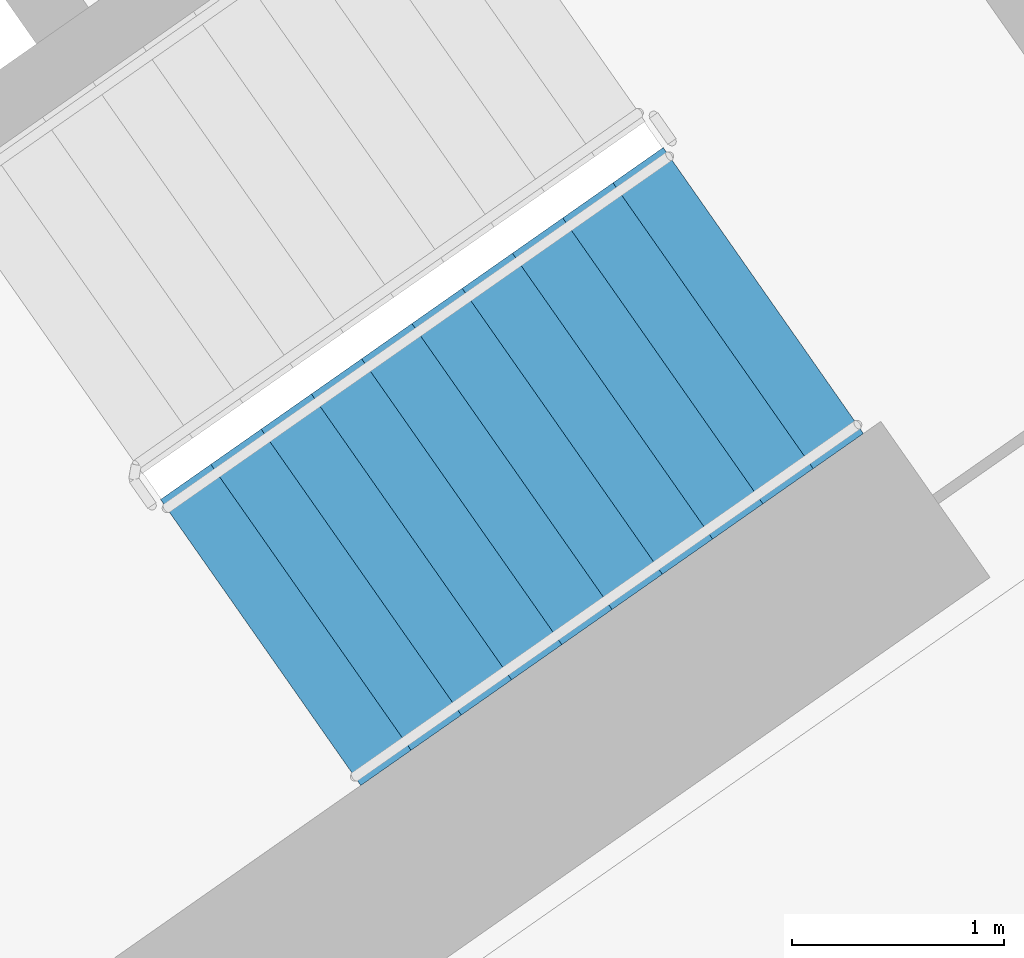
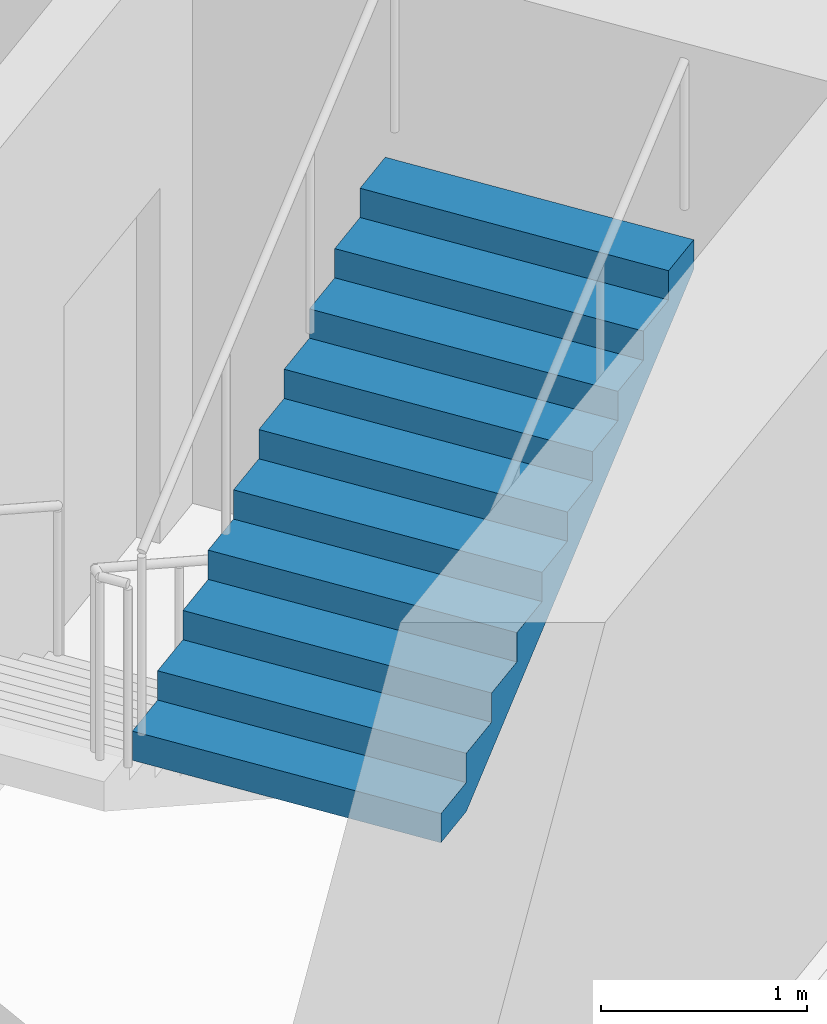
# One storey, part 16 of 33: 1 stair flight, 1 element without a shape of its own.
"""IFC4 building model written with IfcOpenShell, lengths in metres."""

from ifc_helpers import new_model, si_unit, direction, frame, origin, place, context, subcontext, project, spatial, faceted_brep, material, type_object, element, aggregate, save


model = new_model("IFC4")

# Units and contexts
model_context = context("Model", 3, precision=1e-05, world=origin(), true_north=direction((0.0, 1.0)))
body_context = subcontext(model_context, "Body", "Model", "MODEL_VIEW")
ifc_project = project(units=[si_unit("LENGTHUNIT", "METRE"), si_unit("AREAUNIT", "SQUARE_METRE"), si_unit("VOLUMEUNIT", "CUBIC_METRE"), si_unit("PLANEANGLEUNIT", "RADIAN"), si_unit("MASSUNIT", "GRAM", prefix="KILO")], contexts=[model_context])

# Site, building, storey
site_placement = place(None, origin())
site = spatial("IfcSite", under=ifc_project, at=site_placement, CompositionType="ELEMENT")
building_placement = place(site_placement, origin())
building = spatial("IfcBuilding", under=site, at=building_placement, Name="Qamariyya Broadcast Tower", CompositionType="ELEMENT")
storey_placement = place(building_placement, frame((0.0, 0.0, 78.5)))
storey = spatial("IfcBuildingStorey", under=building, at=storey_placement, Name="L16", CompositionType="ELEMENT", Elevation=78.5)

# Stair, stair flight
ifc_material = material(Name="Concrete C50/60", Category="concrete")
stair_type = type_object("IfcStairType", Name="Exit stair 22 risers of 173 mm", PredefinedType="HALF_TURN_STAIR", material=ifc_material)
stair_placement = place(storey_placement, origin())
stair = element("IfcStair", 1, at=stair_placement, inside=storey, type_object=stair_type, Name="L16 Stair E1", PredefinedType="HALF_TURN_STAIR")
stair_flight_type = type_object("IfcStairFlightType", Name="Exit stair flight 11 risers of 173 mm", PredefinedType="STRAIGHT", material=ifc_material)
stair_flight_placement = place(storey_placement, frame((44.693359375, -58.64599609375, 1.89990234375), z_axis=(0.0, 0.0, 1.0), x_axis=(0.819152044289, 0.573576436351, 0.0)))
stair_flight = element("IfcStairFlight", 2, at=stair_flight_placement, type_object=stair_flight_type, Name="ST-E1 flight 2", NumberOfRisers=11, NumberOfTreads=10, PredefinedType="STRAIGHT", RiserHeight=0.172727273, TreadLength=0.29, context=body_context, shape_type="Brep", body=[
    faceted_brep([(0.0, 0.824951171875, 0.0), (0.0, 0.824951171875, 0.172607421875), (0.2900390625, 0.824951171875, 0.172607421875), (0.2900390625, 0.824951171875, 0.345458984375), (0.580078125, 0.824951171875, 0.345458984375), (0.580078125, 0.824951171875, 0.51806640625), (0.8701171875, 0.824951171875, 0.51806640625), (0.8701171875, 0.824951171875, 0.69091796875), (1.159912109375, 0.824951171875, 0.69091796875), (1.159912109375, 0.824951171875, 0.863525390625), (1.449951171875, 0.824951171875, 0.863525390625), (1.449951171875, 0.824951171875, 1.036376953125), (1.739990234375, 0.824951171875, 1.036376953125), (1.739990234375, 0.824951171875, 1.208984375), (2.030029296875, 0.824951171875, 1.208984375), (2.030029296875, 0.824951171875, 1.3818359375), (2.320068359375, 0.824951171875, 1.3818359375), (2.320068359375, 0.824951171875, 1.554443359375), (2.610107421875, 0.824951171875, 1.554443359375), (2.610107421875, 0.824951171875, 1.727294921875), (2.89990234375, 0.824951171875, 1.727294921875), (2.89990234375, 0.824951171875, 1.552734375), (0.29296875, 0.824951171875, 0.0), (0.29296875, -0.824951171875, 0.0), (2.89990234375, -0.824951171875, 1.552734375), (2.89990234375, -0.824951171875, 1.727294921875), (2.610107421875, -0.824951171875, 1.727294921875), (2.610107421875, -0.824951171875, 1.554443359375), (2.320068359375, -0.824951171875, 1.554443359375), (2.320068359375, -0.824951171875, 1.3818359375), (2.030029296875, -0.824951171875, 1.3818359375), (2.030029296875, -0.824951171875, 1.208984375), (1.739990234375, -0.824951171875, 1.208984375), (1.739990234375, -0.824951171875, 1.036376953125), (1.449951171875, -0.824951171875, 1.036376953125), (1.449951171875, -0.824951171875, 0.863525390625), (1.159912109375, -0.824951171875, 0.863525390625), (1.159912109375, -0.824951171875, 0.69091796875), (0.8701171875, -0.824951171875, 0.69091796875), (0.8701171875, -0.824951171875, 0.51806640625), (0.580078125, -0.824951171875, 0.51806640625), (0.580078125, -0.824951171875, 0.345458984375), (0.2900390625, -0.824951171875, 0.345458984375), (0.2900390625, -0.824951171875, 0.172607421875), (0.0, -0.824951171875, 0.172607421875), (0.0, -0.824951171875, 0.0), (0.0, 0.10009765625, 0.0), (0.0, 0.086669921875, 0.0), (0.0, 0.0732421875, 0.0), (0.0, 0.06005859375, 0.0), (0.0, 0.046630859375, 0.0), (0.0, 0.033447265625, 0.0), (0.0, 0.02001953125, 0.0), (0.0, 0.006591796875, 0.0), (0.0, -0.006591796875, 0.0), (0.0, -0.02001953125, 0.0), (0.0, -0.033447265625, 0.0), (0.0, -0.046630859375, 0.0), (0.0, -0.06005859375, 0.0), (0.0, -0.0732421875, 0.0), (0.0, -0.086669921875, 0.0), (0.0, -0.10009765625, 0.0), (0.0, -0.10009765625, 0.172607421875), (0.0, -0.086669921875, 0.172607421875), (0.0, -0.0732421875, 0.172607421875), (0.0, -0.06005859375, 0.172607421875), (0.0, -0.046630859375, 0.172607421875), (0.0, -0.033447265625, 0.172607421875), (0.0, -0.02001953125, 0.172607421875), (0.0, -0.006591796875, 0.172607421875), (0.0, 0.006591796875, 0.172607421875), (0.0, 0.02001953125, 0.172607421875), (0.0, 0.033447265625, 0.172607421875), (0.0, 0.046630859375, 0.172607421875), (0.0, 0.06005859375, 0.172607421875), (0.0, 0.0732421875, 0.172607421875), (0.0, 0.086669921875, 0.172607421875), (0.0, 0.10009765625, 0.172607421875), (0.2900390625, -0.10009765625, 0.172607421875), (0.2900390625, -0.086669921875, 0.172607421875), (0.2900390625, -0.0732421875, 0.172607421875), (0.2900390625, -0.06005859375, 0.172607421875), (0.2900390625, -0.046630859375, 0.172607421875), (0.2900390625, -0.033447265625, 0.172607421875), (0.2900390625, -0.02001953125, 0.172607421875), (0.2900390625, -0.006591796875, 0.172607421875), (0.2900390625, 0.006591796875, 0.172607421875), (0.2900390625, 0.02001953125, 0.172607421875), (0.2900390625, 0.033447265625, 0.172607421875), (0.2900390625, 0.046630859375, 0.172607421875), (0.2900390625, 0.06005859375, 0.172607421875), (0.2900390625, 0.0732421875, 0.172607421875), (0.2900390625, 0.086669921875, 0.172607421875), (0.2900390625, 0.10009765625, 0.172607421875), (0.2900390625, -0.10009765625, 0.345458984375), (0.2900390625, -0.086669921875, 0.345458984375), (0.2900390625, -0.0732421875, 0.345458984375), (0.2900390625, -0.06005859375, 0.345458984375), (0.2900390625, -0.046630859375, 0.345458984375), (0.2900390625, -0.033447265625, 0.345458984375), (0.2900390625, -0.02001953125, 0.345458984375), (0.2900390625, -0.006591796875, 0.345458984375), (0.2900390625, 0.006591796875, 0.345458984375), (0.2900390625, 0.02001953125, 0.345458984375), (0.2900390625, 0.033447265625, 0.345458984375), (0.2900390625, 0.046630859375, 0.345458984375), (0.2900390625, 0.06005859375, 0.345458984375), (0.2900390625, 0.0732421875, 0.345458984375), (0.2900390625, 0.086669921875, 0.345458984375), (0.2900390625, 0.10009765625, 0.345458984375), (0.580078125, -0.10009765625, 0.345458984375), (0.580078125, -0.086669921875, 0.345458984375), (0.580078125, -0.0732421875, 0.345458984375), (0.580078125, -0.06005859375, 0.345458984375), (0.580078125, -0.046630859375, 0.345458984375), (0.580078125, -0.033447265625, 0.345458984375), (0.580078125, -0.02001953125, 0.345458984375), (0.580078125, -0.006591796875, 0.345458984375), (0.580078125, 0.006591796875, 0.345458984375), (0.580078125, 0.02001953125, 0.345458984375), (0.580078125, 0.033447265625, 0.345458984375), (0.580078125, 0.046630859375, 0.345458984375), (0.580078125, 0.06005859375, 0.345458984375), (0.580078125, 0.0732421875, 0.345458984375), (0.580078125, 0.086669921875, 0.345458984375), (0.580078125, 0.10009765625, 0.345458984375), (0.580078125, -0.10009765625, 0.51806640625), (0.580078125, -0.086669921875, 0.51806640625), (0.580078125, -0.0732421875, 0.51806640625), (0.580078125, -0.06005859375, 0.51806640625), (0.580078125, -0.046630859375, 0.51806640625), (0.580078125, -0.033447265625, 0.51806640625), (0.580078125, -0.02001953125, 0.51806640625), (0.580078125, -0.006591796875, 0.51806640625), (0.580078125, 0.006591796875, 0.51806640625), (0.580078125, 0.02001953125, 0.51806640625), (0.580078125, 0.033447265625, 0.51806640625), (0.580078125, 0.046630859375, 0.51806640625), (0.580078125, 0.06005859375, 0.51806640625), (0.580078125, 0.0732421875, 0.51806640625), (0.580078125, 0.086669921875, 0.51806640625), (0.580078125, 0.10009765625, 0.51806640625), (0.8701171875, -0.10009765625, 0.51806640625), (0.8701171875, -0.086669921875, 0.51806640625), (0.8701171875, -0.0732421875, 0.51806640625), (0.8701171875, -0.06005859375, 0.51806640625), (0.8701171875, -0.046630859375, 0.51806640625), (0.8701171875, -0.033447265625, 0.51806640625), (0.8701171875, -0.02001953125, 0.51806640625), (0.8701171875, -0.006591796875, 0.51806640625), (0.8701171875, 0.006591796875, 0.51806640625), (0.8701171875, 0.02001953125, 0.51806640625), (0.8701171875, 0.033447265625, 0.51806640625), (0.8701171875, 0.046630859375, 0.51806640625), (0.8701171875, 0.06005859375, 0.51806640625), (0.8701171875, 0.0732421875, 0.51806640625), (0.8701171875, 0.086669921875, 0.51806640625), (0.8701171875, 0.10009765625, 0.51806640625), (0.8701171875, -0.10009765625, 0.69091796875), (0.8701171875, -0.086669921875, 0.69091796875), (0.8701171875, -0.0732421875, 0.69091796875), (0.8701171875, -0.06005859375, 0.69091796875), (0.8701171875, -0.046630859375, 0.69091796875), (0.8701171875, -0.033447265625, 0.69091796875), (0.8701171875, -0.02001953125, 0.69091796875), (0.8701171875, -0.006591796875, 0.69091796875), (0.8701171875, 0.006591796875, 0.69091796875), (0.8701171875, 0.02001953125, 0.69091796875), (0.8701171875, 0.033447265625, 0.69091796875), (0.8701171875, 0.046630859375, 0.69091796875), (0.8701171875, 0.06005859375, 0.69091796875), (0.8701171875, 0.0732421875, 0.69091796875), (0.8701171875, 0.086669921875, 0.69091796875), (0.8701171875, 0.10009765625, 0.69091796875), (1.159912109375, -0.10009765625, 0.69091796875), (1.159912109375, -0.086669921875, 0.69091796875), (1.159912109375, -0.0732421875, 0.69091796875), (1.159912109375, -0.06005859375, 0.69091796875), (1.159912109375, -0.046630859375, 0.69091796875), (1.159912109375, -0.033447265625, 0.69091796875), (1.159912109375, -0.02001953125, 0.69091796875), (1.159912109375, -0.006591796875, 0.69091796875), (1.159912109375, 0.006591796875, 0.69091796875), (1.159912109375, 0.02001953125, 0.69091796875), (1.159912109375, 0.033447265625, 0.69091796875), (1.159912109375, 0.046630859375, 0.69091796875), (1.159912109375, 0.06005859375, 0.69091796875), (1.159912109375, 0.0732421875, 0.69091796875), (1.159912109375, 0.086669921875, 0.69091796875), (1.159912109375, 0.10009765625, 0.69091796875), (1.159912109375, -0.10009765625, 0.863525390625), (1.159912109375, -0.086669921875, 0.863525390625), (1.159912109375, -0.0732421875, 0.863525390625), (1.159912109375, -0.06005859375, 0.863525390625), (1.159912109375, -0.046630859375, 0.863525390625), (1.159912109375, -0.033447265625, 0.863525390625), (1.159912109375, -0.02001953125, 0.863525390625), (1.159912109375, -0.006591796875, 0.863525390625), (1.159912109375, 0.006591796875, 0.863525390625), (1.159912109375, 0.02001953125, 0.863525390625), (1.159912109375, 0.033447265625, 0.863525390625), (1.159912109375, 0.046630859375, 0.863525390625), (1.159912109375, 0.06005859375, 0.863525390625), (1.159912109375, 0.0732421875, 0.863525390625), (1.159912109375, 0.086669921875, 0.863525390625), (1.159912109375, 0.10009765625, 0.863525390625), (1.449951171875, -0.10009765625, 0.863525390625), (1.449951171875, -0.086669921875, 0.863525390625), (1.449951171875, -0.0732421875, 0.863525390625), (1.449951171875, -0.06005859375, 0.863525390625), (1.449951171875, -0.046630859375, 0.863525390625), (1.449951171875, -0.033447265625, 0.863525390625), (1.449951171875, -0.02001953125, 0.863525390625), (1.449951171875, -0.006591796875, 0.863525390625), (1.449951171875, 0.006591796875, 0.863525390625), (1.449951171875, 0.02001953125, 0.863525390625), (1.449951171875, 0.033447265625, 0.863525390625), (1.449951171875, 0.046630859375, 0.863525390625), (1.449951171875, 0.06005859375, 0.863525390625), (1.449951171875, 0.0732421875, 0.863525390625), (1.449951171875, 0.086669921875, 0.863525390625), (1.449951171875, 0.10009765625, 0.863525390625), (1.449951171875, -0.10009765625, 1.036376953125), (1.449951171875, -0.086669921875, 1.036376953125), (1.449951171875, -0.0732421875, 1.036376953125), (1.449951171875, -0.06005859375, 1.036376953125), (1.449951171875, -0.046630859375, 1.036376953125), (1.449951171875, -0.033447265625, 1.036376953125), (1.449951171875, -0.02001953125, 1.036376953125), (1.449951171875, -0.006591796875, 1.036376953125), (1.449951171875, 0.006591796875, 1.036376953125), (1.449951171875, 0.02001953125, 1.036376953125), (1.449951171875, 0.033447265625, 1.036376953125), (1.449951171875, 0.046630859375, 1.036376953125), (1.449951171875, 0.06005859375, 1.036376953125), (1.449951171875, 0.0732421875, 1.036376953125), (1.449951171875, 0.086669921875, 1.036376953125), (1.449951171875, 0.10009765625, 1.036376953125), (1.739990234375, -0.10009765625, 1.036376953125), (1.739990234375, -0.086669921875, 1.036376953125), (1.739990234375, -0.0732421875, 1.036376953125), (1.739990234375, -0.06005859375, 1.036376953125), (1.739990234375, -0.046630859375, 1.036376953125), (1.739990234375, -0.033447265625, 1.036376953125), (1.739990234375, -0.02001953125, 1.036376953125), (1.739990234375, -0.006591796875, 1.036376953125), (1.739990234375, 0.006591796875, 1.036376953125), (1.739990234375, 0.02001953125, 1.036376953125), (1.739990234375, 0.033447265625, 1.036376953125), (1.739990234375, 0.046630859375, 1.036376953125), (1.739990234375, 0.06005859375, 1.036376953125), (1.739990234375, 0.0732421875, 1.036376953125), (1.739990234375, 0.086669921875, 1.036376953125), (1.739990234375, 0.10009765625, 1.036376953125), (1.739990234375, -0.10009765625, 1.208984375), (1.739990234375, -0.086669921875, 1.208984375), (1.739990234375, -0.0732421875, 1.208984375), (1.739990234375, -0.06005859375, 1.208984375), (1.739990234375, -0.046630859375, 1.208984375), (1.739990234375, -0.033447265625, 1.208984375), (1.739990234375, -0.02001953125, 1.208984375), (1.739990234375, -0.006591796875, 1.208984375), (1.739990234375, 0.006591796875, 1.208984375), (1.739990234375, 0.02001953125, 1.208984375), (1.739990234375, 0.033447265625, 1.208984375), (1.739990234375, 0.046630859375, 1.208984375), (1.739990234375, 0.06005859375, 1.208984375), (1.739990234375, 0.0732421875, 1.208984375), (1.739990234375, 0.086669921875, 1.208984375), (1.739990234375, 0.10009765625, 1.208984375), (2.030029296875, -0.10009765625, 1.208984375), (2.030029296875, -0.086669921875, 1.208984375), (2.030029296875, -0.0732421875, 1.208984375), (2.030029296875, -0.06005859375, 1.208984375), (2.030029296875, -0.046630859375, 1.208984375), (2.030029296875, -0.033447265625, 1.208984375), (2.030029296875, -0.02001953125, 1.208984375), (2.030029296875, -0.006591796875, 1.208984375), (2.030029296875, 0.006591796875, 1.208984375), (2.030029296875, 0.02001953125, 1.208984375), (2.030029296875, 0.033447265625, 1.208984375), (2.030029296875, 0.046630859375, 1.208984375), (2.030029296875, 0.06005859375, 1.208984375), (2.030029296875, 0.0732421875, 1.208984375), (2.030029296875, 0.086669921875, 1.208984375), (2.030029296875, 0.10009765625, 1.208984375), (2.030029296875, -0.10009765625, 1.3818359375), (2.030029296875, -0.086669921875, 1.3818359375), (2.030029296875, -0.0732421875, 1.3818359375), (2.030029296875, -0.06005859375, 1.3818359375), (2.030029296875, -0.046630859375, 1.3818359375), (2.030029296875, -0.033447265625, 1.3818359375), (2.030029296875, -0.02001953125, 1.3818359375), (2.030029296875, -0.006591796875, 1.3818359375), (2.030029296875, 0.006591796875, 1.3818359375), (2.030029296875, 0.02001953125, 1.3818359375), (2.030029296875, 0.033447265625, 1.3818359375), (2.030029296875, 0.046630859375, 1.3818359375), (2.030029296875, 0.06005859375, 1.3818359375), (2.030029296875, 0.0732421875, 1.3818359375), (2.030029296875, 0.086669921875, 1.3818359375), (2.030029296875, 0.10009765625, 1.3818359375), (2.320068359375, -0.10009765625, 1.3818359375), (2.320068359375, -0.086669921875, 1.3818359375), (2.320068359375, -0.0732421875, 1.3818359375), (2.320068359375, -0.06005859375, 1.3818359375), (2.320068359375, -0.046630859375, 1.3818359375), (2.320068359375, -0.033447265625, 1.3818359375), (2.320068359375, -0.02001953125, 1.3818359375), (2.320068359375, -0.006591796875, 1.3818359375), (2.320068359375, 0.006591796875, 1.3818359375), (2.320068359375, 0.02001953125, 1.3818359375), (2.320068359375, 0.033447265625, 1.3818359375), (2.320068359375, 0.046630859375, 1.3818359375), (2.320068359375, 0.06005859375, 1.3818359375), (2.320068359375, 0.0732421875, 1.3818359375), (2.320068359375, 0.086669921875, 1.3818359375), (2.320068359375, 0.10009765625, 1.3818359375), (2.320068359375, -0.10009765625, 1.554443359375), (2.320068359375, -0.086669921875, 1.554443359375), (2.320068359375, -0.0732421875, 1.554443359375), (2.320068359375, -0.06005859375, 1.554443359375), (2.320068359375, -0.046630859375, 1.554443359375), (2.320068359375, -0.033447265625, 1.554443359375), (2.320068359375, -0.02001953125, 1.554443359375), (2.320068359375, -0.006591796875, 1.554443359375), (2.320068359375, 0.006591796875, 1.554443359375), (2.320068359375, 0.02001953125, 1.554443359375), (2.320068359375, 0.033447265625, 1.554443359375), (2.320068359375, 0.046630859375, 1.554443359375), (2.320068359375, 0.06005859375, 1.554443359375), (2.320068359375, 0.0732421875, 1.554443359375), (2.320068359375, 0.086669921875, 1.554443359375), (2.320068359375, 0.10009765625, 1.554443359375), (2.610107421875, -0.10009765625, 1.554443359375), (2.610107421875, -0.086669921875, 1.554443359375), (2.610107421875, -0.0732421875, 1.554443359375), (2.610107421875, -0.06005859375, 1.554443359375), (2.610107421875, -0.046630859375, 1.554443359375), (2.610107421875, -0.033447265625, 1.554443359375), (2.610107421875, -0.02001953125, 1.554443359375), (2.610107421875, -0.006591796875, 1.554443359375), (2.610107421875, 0.006591796875, 1.554443359375), (2.610107421875, 0.02001953125, 1.554443359375), (2.610107421875, 0.033447265625, 1.554443359375), (2.610107421875, 0.046630859375, 1.554443359375), (2.610107421875, 0.06005859375, 1.554443359375), (2.610107421875, 0.0732421875, 1.554443359375), (2.610107421875, 0.086669921875, 1.554443359375), (2.610107421875, 0.10009765625, 1.554443359375), (2.610107421875, -0.10009765625, 1.727294921875), (2.610107421875, -0.086669921875, 1.727294921875), (2.610107421875, -0.0732421875, 1.727294921875), (2.610107421875, -0.06005859375, 1.727294921875), (2.610107421875, -0.046630859375, 1.727294921875), (2.610107421875, -0.033447265625, 1.727294921875), (2.610107421875, -0.02001953125, 1.727294921875), (2.610107421875, -0.006591796875, 1.727294921875), (2.610107421875, 0.006591796875, 1.727294921875), (2.610107421875, 0.02001953125, 1.727294921875), (2.610107421875, 0.033447265625, 1.727294921875), (2.610107421875, 0.046630859375, 1.727294921875), (2.610107421875, 0.06005859375, 1.727294921875), (2.610107421875, 0.0732421875, 1.727294921875), (2.610107421875, 0.086669921875, 1.727294921875), (2.610107421875, 0.10009765625, 1.727294921875), (2.89990234375, -0.10009765625, 1.727294921875), (2.89990234375, -0.086669921875, 1.727294921875), (2.89990234375, -0.0732421875, 1.727294921875), (2.89990234375, -0.06005859375, 1.727294921875), (2.89990234375, -0.046630859375, 1.727294921875), (2.89990234375, -0.033447265625, 1.727294921875), (2.89990234375, -0.02001953125, 1.727294921875), (2.89990234375, -0.006591796875, 1.727294921875), (2.89990234375, 0.006591796875, 1.727294921875), (2.89990234375, 0.02001953125, 1.727294921875), (2.89990234375, 0.033447265625, 1.727294921875), (2.89990234375, 0.046630859375, 1.727294921875), (2.89990234375, 0.06005859375, 1.727294921875), (2.89990234375, 0.0732421875, 1.727294921875), (2.89990234375, 0.086669921875, 1.727294921875), (2.89990234375, 0.10009765625, 1.727294921875), (2.89990234375, -0.10009765625, 1.552734375), (2.89990234375, -0.086669921875, 1.552734375), (2.89990234375, -0.0732421875, 1.552734375), (2.89990234375, -0.06005859375, 1.552734375), (2.89990234375, -0.046630859375, 1.552734375), (2.89990234375, -0.033447265625, 1.552734375), (2.89990234375, -0.02001953125, 1.552734375), (2.89990234375, -0.006591796875, 1.552734375), (2.89990234375, 0.006591796875, 1.552734375), (2.89990234375, 0.02001953125, 1.552734375), (2.89990234375, 0.033447265625, 1.552734375), (2.89990234375, 0.046630859375, 1.552734375), (2.89990234375, 0.06005859375, 1.552734375), (2.89990234375, 0.0732421875, 1.552734375), (2.89990234375, 0.086669921875, 1.552734375), (2.89990234375, 0.10009765625, 1.552734375), (0.29296875, -0.10009765625, 0.0), (0.29296875, -0.086669921875, 0.0), (0.29296875, -0.0732421875, 0.0), (0.29296875, -0.06005859375, 0.0), (0.29296875, -0.046630859375, 0.0), (0.29296875, -0.033447265625, 0.0), (0.29296875, -0.02001953125, 0.0), (0.29296875, -0.006591796875, 0.0), (0.29296875, 0.006591796875, 0.0), (0.29296875, 0.02001953125, 0.0), (0.29296875, 0.033447265625, 0.0), (0.29296875, 0.046630859375, 0.0), (0.29296875, 0.06005859375, 0.0), (0.29296875, 0.0732421875, 0.0), (0.29296875, 0.086669921875, 0.0), (0.29296875, 0.10009765625, 0.0)], [[[0, 1, 2, 3, 4, 5, 6, 7, 8, 9, 10, 11, 12, 13, 14, 15, 16, 17, 18, 19, 20, 21, 22]], [[23, 24, 25, 26, 27, 28, 29, 30, 31, 32, 33, 34, 35, 36, 37, 38, 39, 40, 41, 42, 43, 44, 45]], [[0, 46, 47, 48, 49, 50, 51, 52, 53, 54, 55, 56, 57, 58, 59, 60, 61, 45, 44, 62, 63, 64, 65, 66, 67, 68, 69, 70, 71, 72, 73, 74, 75, 76, 77, 1]], [[1, 77, 76, 75, 74, 73, 72, 71, 70, 69, 68, 67, 66, 65, 64, 63, 62, 44, 43, 78, 79, 80, 81, 82, 83, 84, 85, 86, 87, 88, 89, 90, 91, 92, 93, 2]], [[2, 93, 92, 91, 90, 89, 88, 87, 86, 85, 84, 83, 82, 81, 80, 79, 78, 43, 42, 94, 95, 96, 97, 98, 99, 100, 101, 102, 103, 104, 105, 106, 107, 108, 109, 3]], [[3, 109, 108, 107, 106, 105, 104, 103, 102, 101, 100, 99, 98, 97, 96, 95, 94, 42, 41, 110, 111, 112, 113, 114, 115, 116, 117, 118, 119, 120, 121, 122, 123, 124, 125, 4]], [[4, 125, 124, 123, 122, 121, 120, 119, 118, 117, 116, 115, 114, 113, 112, 111, 110, 41, 40, 126, 127, 128, 129, 130, 131, 132, 133, 134, 135, 136, 137, 138, 139, 140, 141, 5]], [[5, 141, 140, 139, 138, 137, 136, 135, 134, 133, 132, 131, 130, 129, 128, 127, 126, 40, 39, 142, 143, 144, 145, 146, 147, 148, 149, 150, 151, 152, 153, 154, 155, 156, 157, 6]], [[6, 157, 156, 155, 154, 153, 152, 151, 150, 149, 148, 147, 146, 145, 144, 143, 142, 39, 38, 158, 159, 160, 161, 162, 163, 164, 165, 166, 167, 168, 169, 170, 171, 172, 173, 7]], [[7, 173, 172, 171, 170, 169, 168, 167, 166, 165, 164, 163, 162, 161, 160, 159, 158, 38, 37, 174, 175, 176, 177, 178, 179, 180, 181, 182, 183, 184, 185, 186, 187, 188, 189, 8]], [[8, 189, 188, 187, 186, 185, 184, 183, 182, 181, 180, 179, 178, 177, 176, 175, 174, 37, 36, 190, 191, 192, 193, 194, 195, 196, 197, 198, 199, 200, 201, 202, 203, 204, 205, 9]], [[9, 205, 204, 203, 202, 201, 200, 199, 198, 197, 196, 195, 194, 193, 192, 191, 190, 36, 35, 206, 207, 208, 209, 210, 211, 212, 213, 214, 215, 216, 217, 218, 219, 220, 221, 10]], [[10, 221, 220, 219, 218, 217, 216, 215, 214, 213, 212, 211, 210, 209, 208, 207, 206, 35, 34, 222, 223, 224, 225, 226, 227, 228, 229, 230, 231, 232, 233, 234, 235, 236, 237, 11]], [[11, 237, 236, 235, 234, 233, 232, 231, 230, 229, 228, 227, 226, 225, 224, 223, 222, 34, 33, 238, 239, 240, 241, 242, 243, 244, 245, 246, 247, 248, 249, 250, 251, 252, 253, 12]], [[12, 253, 252, 251, 250, 249, 248, 247, 246, 245, 244, 243, 242, 241, 240, 239, 238, 33, 32, 254, 255, 256, 257, 258, 259, 260, 261, 262, 263, 264, 265, 266, 267, 268, 269, 13]], [[13, 269, 268, 267, 266, 265, 264, 263, 262, 261, 260, 259, 258, 257, 256, 255, 254, 32, 31, 270, 271, 272, 273, 274, 275, 276, 277, 278, 279, 280, 281, 282, 283, 284, 285, 14]], [[14, 285, 284, 283, 282, 281, 280, 279, 278, 277, 276, 275, 274, 273, 272, 271, 270, 31, 30, 286, 287, 288, 289, 290, 291, 292, 293, 294, 295, 296, 297, 298, 299, 300, 301, 15]], [[15, 301, 300, 299, 298, 297, 296, 295, 294, 293, 292, 291, 290, 289, 288, 287, 286, 30, 29, 302, 303, 304, 305, 306, 307, 308, 309, 310, 311, 312, 313, 314, 315, 316, 317, 16]], [[16, 317, 316, 315, 314, 313, 312, 311, 310, 309, 308, 307, 306, 305, 304, 303, 302, 29, 28, 318, 319, 320, 321, 322, 323, 324, 325, 326, 327, 328, 329, 330, 331, 332, 333, 17]], [[17, 333, 332, 331, 330, 329, 328, 327, 326, 325, 324, 323, 322, 321, 320, 319, 318, 28, 27, 334, 335, 336, 337, 338, 339, 340, 341, 342, 343, 344, 345, 346, 347, 348, 349, 18]], [[18, 349, 348, 347, 346, 345, 344, 343, 342, 341, 340, 339, 338, 337, 336, 335, 334, 27, 26, 350, 351, 352, 353, 354, 355, 356, 357, 358, 359, 360, 361, 362, 363, 364, 365, 19]], [[19, 365, 364, 363, 362, 361, 360, 359, 358, 357, 356, 355, 354, 353, 352, 351, 350, 26, 25, 366, 367, 368, 369, 370, 371, 372, 373, 374, 375, 376, 377, 378, 379, 380, 381, 20]], [[20, 381, 380, 379, 378, 377, 376, 375, 374, 373, 372, 371, 370, 369, 368, 367, 366, 25, 24, 382, 383, 384, 385, 386, 387, 388, 389, 390, 391, 392, 393, 394, 395, 396, 397, 21]], [[21, 397, 396, 395, 394, 393, 392, 391, 390, 389, 388, 387, 386, 385, 384, 383, 382, 24, 23, 398, 399, 400, 401, 402, 403, 404, 405, 406, 407, 408, 409, 410, 411, 412, 413, 22]], [[22, 413, 412, 411, 410, 409, 408, 407, 406, 405, 404, 403, 402, 401, 400, 399, 398, 23, 45, 61, 60, 59, 58, 57, 56, 55, 54, 53, 52, 51, 50, 49, 48, 47, 46, 0]]]),
])
aggregate(stair, [stair_flight])

save(model, "model.ifc")
